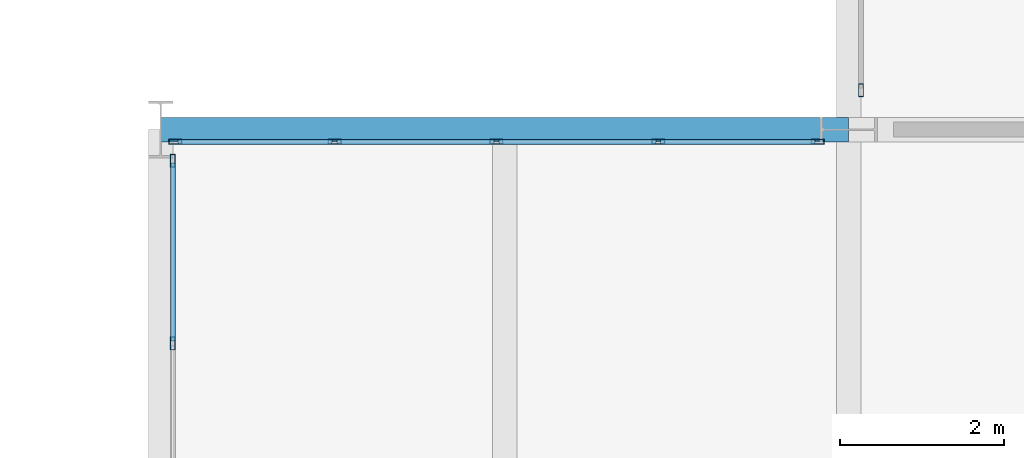
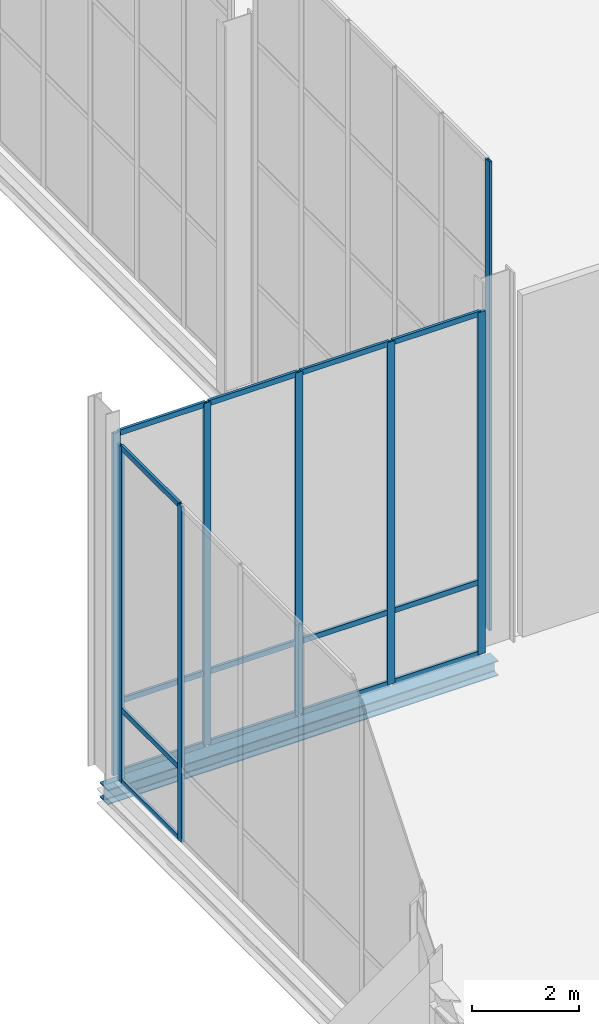
# One storey, part 44 of 131: 23 members, 1 beam, 3 elements without a shape of their own.
"""IFC4 building model written with IfcOpenShell, lengths in metres."""

import ifcopenshell
import ifcopenshell.guid

model = None  # the IFC model being written
_history = None  # IfcOwnerHistory: only IFC2X3 demands one
_inside = {}  # id of a spatial element -> (the spatial element, [elements in it])
_under = {}  # id of a project, library or spatial element -> (it, [spatial elements below it])
_declared = {}  # id of a project -> (the project, [libraries it declares])
_typed = {}  # id of a type object -> (the type object, [elements of that type])
_made_of = {}  # id of a material, layer set ... -> (it, [elements and type objects made of it])


def new_model(schema):
    """Start an empty IFC model of exactly this schema.

    Asked for "IFC4X3", IfcOpenShell would pick the latest addendum, in which some entities
    have other attributes; the version numbers below select the first issue.
    IFC2X3 requires an IfcOwnerHistory on every rooted entity: one is made here for all.
    """
    global model, _history
    if schema == "IFC4X3":
        model = ifcopenshell.file(schema_version=(4, 3, 0, 0))
    else:
        model = ifcopenshell.file(schema=schema)
    _inside.clear()
    _under.clear()
    _declared.clear()
    _typed.clear()
    _made_of.clear()
    _history = None
    if model.schema == "IFC2X3":
        org = make("IfcOrganization", Name="unknown")
        user = make(
            "IfcPersonAndOrganization",
            ThePerson=make("IfcPerson", FamilyName="unknown"),
            TheOrganization=org,
        )
        app = make(
            "IfcApplication",
            ApplicationDeveloper=org,
            Version="unknown",
            ApplicationFullName="unknown",
            ApplicationIdentifier="unknown",
        )
        _history = make(
            "IfcOwnerHistory",
            OwningUser=user,
            OwningApplication=app,
            ChangeAction="ADDED",
            CreationDate=0,
        )
    return model


def make(cls, **values):
    """One entity of the class cls with the attributes given. An attribute that is None is left unset."""
    return model.create_entity(
        cls, **{name: value for name, value in values.items() if value is not None}
    )


def rooted(cls, **values):
    """An entity with a GlobalId (a new one), such as an element, a storey or a relation."""
    return make(cls, GlobalId=ifcopenshell.guid.new(), OwnerHistory=_history, **values)


def si_unit(unit_type, name, prefix=None):
    """IfcSIUnit, for example si_unit("LENGTHUNIT", "METRE", prefix="MILLI")."""
    return make("IfcSIUnit", UnitType=unit_type, Prefix=prefix, Name=name)


def assignment(units):
    """IfcUnitAssignment: the units of a project."""
    return None if units is None else make("IfcUnitAssignment", Units=units)


def point(xyz):
    """IfcCartesianPoint."""
    return None if xyz is None else make("IfcCartesianPoint", Coordinates=xyz)


def direction(xyz):
    """IfcDirection."""
    return None if xyz is None else make("IfcDirection", DirectionRatios=xyz)


def frame(location, z_axis=None, x_axis=None):
    """IfcAxis2Placement3D, a coordinate frame: its origin and axes. An axis left out is left unset."""
    return make(
        "IfcAxis2Placement3D",
        Location=point(location),
        Axis=direction(z_axis),
        RefDirection=direction(x_axis),
    )


def frame_2d(location, x_axis=None):
    """IfcAxis2Placement2D, a coordinate frame in the plane: its origin and x axis."""
    return make(
        "IfcAxis2Placement2D", Location=point(location), RefDirection=direction(x_axis)
    )


def origin():
    """The frame at (0, 0, 0) with its axes left unset."""
    return frame((0.0, 0.0, 0.0))


def origin_2d():
    """The frame at (0, 0) in the plane with its x axis left unset."""
    return frame_2d((0.0, 0.0))


def place(relative_to, where):
    """IfcLocalPlacement: puts the frame where relative to a parent placement (None: the world)."""
    return make(
        "IfcLocalPlacement", PlacementRelTo=relative_to, RelativePlacement=where
    )


def context(
    kind, dimensions, precision=None, world=None, true_north=None, identifier=None
):
    """IfcGeometricRepresentationContext, for example the 3D "Model" context."""
    return make(
        "IfcGeometricRepresentationContext",
        ContextIdentifier=identifier,
        ContextType=kind,
        CoordinateSpaceDimension=dimensions,
        Precision=precision,
        WorldCoordinateSystem=world,
        TrueNorth=true_north,
    )


def subcontext(parent, identifier, kind, view, scale=None):
    """IfcGeometricRepresentationSubContext, for example "Body" below "Model"."""
    return make(
        "IfcGeometricRepresentationSubContext",
        ContextIdentifier=identifier,
        ContextType=kind,
        ParentContext=parent,
        TargetScale=scale,
        TargetView=view,
    )


def project(units=None, contexts=None):
    """IfcProject with its units and contexts."""
    return rooted(
        "IfcProject",
        Name="project",
        RepresentationContexts=contexts,
        UnitsInContext=assignment(units),
    )


def spatial(cls, under=None, at=None, **own):
    """A site, building, storey or space (cls), placed at a placement, below another one or the project."""
    s = rooted(cls, ObjectPlacement=at, **own)
    if under is not None:
        _under.setdefault(under.id(), (under, []))[1].append(s)
    return s


def profile(cls, at=None, kind="AREA", **sizes):
    """A parametric profile (cls). Its sizes go by their IFC names, for example OverallWidth=200.0."""
    return make(cls, ProfileType=kind, Position=at, **sizes)


def hollow_rectangle(**sizes):
    """IfcRectangleHollowProfileDef."""
    return profile("IfcRectangleHollowProfileDef", **sizes)


def i_section(**sizes):
    """IfcIShapeProfileDef."""
    return profile("IfcIShapeProfileDef", **sizes)


def extrude(swept, where, along, depth):
    """IfcExtrudedAreaSolid: the profile swept, set in the frame where, extruded along a direction by depth."""
    return make(
        "IfcExtrudedAreaSolid",
        SweptArea=swept,
        Position=where,
        ExtrudedDirection=direction(along),
        Depth=depth,
    )


def shape(context_of_items, identifier, shape_type, items):
    """IfcShapeRepresentation: the items that make up one representation, for example the "Body"."""
    return make(
        "IfcShapeRepresentation",
        ContextOfItems=context_of_items,
        RepresentationIdentifier=identifier,
        RepresentationType=shape_type,
        Items=items,
    )


def material(Name=None, Category=None):
    """IfcMaterial."""
    return make("IfcMaterial", Name=Name, Category=Category)


def material_profile(
    of_material, cross_section, Name=None, Category=None, Priority=None
):
    """IfcMaterialProfile: a cross section and its material."""
    return make(
        "IfcMaterialProfile",
        Name=Name,
        Material=of_material,
        Profile=cross_section,
        Priority=Priority,
        Category=Category,
    )


def profile_set(profiles, Name=None, composite=None):
    """IfcMaterialProfileSet."""
    return make(
        "IfcMaterialProfileSet",
        Name=Name,
        MaterialProfiles=profiles,
        CompositeProfile=composite,
    )


def made_of(thing, what):
    """Note that an element or type object is made of a material, layer set ...; save() writes the relation."""
    if what is not None:
        _made_of.setdefault(what.id(), (what, []))[1].append(thing)
    return thing


def type_object(cls, material=None, **own):
    """A type object (cls), such as IfcWallType, which elements share."""
    return made_of(rooted(cls, **own), material)


def element(
    cls,
    number,
    at=None,
    inside=None,
    cuts=None,
    type_object=None,
    material=None,
    context=None,
    identifier="Body",
    shape_type=None,
    held_by="IfcProductDefinitionShape",
    body=None,
    shapes=None,
    **own,
):
    """One element of the class cls, such as IfcWall. Its Tag is "e" and its number.

    at: its placement. inside: the storey or other place that contains it. cuts: it is an
    opening in that element (IfcRelVoidsElement). A single representation is given by context,
    identifier, shape_type and body (its items); several are given by shapes. held_by: the class
    of the entity that holds the representations. save() writes the other relations.
    """
    e = rooted(cls, Tag="e%d" % number, ObjectPlacement=at, **own)
    if body is not None:
        shapes = [shape(context, identifier, shape_type, body)]
    if shapes is not None:
        e.Representation = make(held_by, Representations=shapes)
    if inside is not None:
        _inside.setdefault(inside.id(), (inside, []))[1].append(e)
    if cuts is not None:
        rooted(
            "IfcRelVoidsElement", RelatingBuildingElement=cuts, RelatedOpeningElement=e
        )
    if type_object is not None:
        _typed.setdefault(type_object.id(), (type_object, []))[1].append(e)
    return made_of(e, material)


def aggregate(whole, parts):
    """IfcRelAggregates: a whole, such as a stair, and the parts it consists of."""
    return rooted("IfcRelAggregates", RelatingObject=whole, RelatedObjects=parts)


def save(model, path):
    """Write the relations noted so far, then the file.

    IfcRelAggregates (storeys below a building ...), IfcRelContainedInSpatialStructure (elements
    in a storey), IfcRelDefinesByType, IfcRelAssociatesMaterial and IfcRelDeclares: one each for
    every whole, place, type object, material and project.
    """
    for whole, parts in _under.values():
        aggregate(whole, parts)
    for where, things in _inside.values():
        rooted(
            "IfcRelContainedInSpatialStructure",
            RelatedElements=things,
            RelatingStructure=where,
        )
    for kind, things in _typed.values():
        rooted("IfcRelDefinesByType", RelatedObjects=things, RelatingType=kind)
    for what, things in _made_of.values():
        rooted("IfcRelAssociatesMaterial", RelatedObjects=things, RelatingMaterial=what)
    for by, libraries in _declared.values():
        rooted("IfcRelDeclares", RelatingContext=by, RelatedDefinitions=libraries)
    model.write(path)


model = new_model("IFC4")

# Units and contexts
model_context = context("Model", 3, precision=1e-05, world=origin(), true_north=direction((0.0, 1.0)))
body_context = subcontext(model_context, "Body", "Model", "MODEL_VIEW")
ifc_project = project(units=[si_unit("LENGTHUNIT", "METRE"), si_unit("AREAUNIT", "SQUARE_METRE"), si_unit("VOLUMEUNIT", "CUBIC_METRE"), si_unit("PLANEANGLEUNIT", "RADIAN"), si_unit("MASSUNIT", "GRAM", prefix="KILO")], contexts=[model_context])

# Site, building, storey
site_placement = place(None, origin())
site = spatial("IfcSite", under=ifc_project, at=site_placement, CompositionType="ELEMENT")
building_placement = place(site_placement, origin())
building = spatial("IfcBuilding", under=site, at=building_placement, Name="Veltarok Museum of Natural Sciences", CompositionType="ELEMENT")
storey_placement = place(building_placement, origin())
storey = spatial("IfcBuildingStorey", under=building, at=storey_placement, Name="L00", CompositionType="ELEMENT", Elevation=0.0)

# Curtain wall, members
ifc_material_1 = material(Name="Low-iron triple insulated glass", Category="glass")
curtain_wall_type_1 = type_object("IfcCurtainWallType", Name="Curtain Wall System CW-PASW0-L00-3-1130x763 (CW-PASW0 L00 1130x763cm)", PredefinedType="NOTDEFINED", material=ifc_material_1)
curtain_wall_1_placement = place(storey_placement, origin())
curtain_wall_1 = element("IfcCurtainWall", 1, at=curtain_wall_1_placement, inside=storey, type_object=curtain_wall_type_1, Name="Curtain Wall CW-PASW0-L00-3-1130x763 CW-0207", PredefinedType="NOTDEFINED")
ifc_material_2 = material(Name="Thermally broken anodised aluminium", Category="aluminium")
ifc_material_profile_1 = material_profile(ifc_material_2, hollow_rectangle(XDim=0.06005859375, YDim=0.1201171875, WallThickness=0.0048828125, at=origin_2d()), Name="CW TRANSOM 60x120x5")
ifc_profile_set_1 = profile_set([ifc_material_profile_1], Name="Thermally broken anodised aluminium")
member_type_1 = type_object("IfcMemberType", Name="Curtain Wall Horizontal Transom 60x120x5", PredefinedType="USERDEFINED", material=ifc_profile_set_1)
member_1_placement = place(storey_placement, frame((23.35009765625, 69.419921875, 0.028076171875), z_axis=(0.0, 1.0, 0.0), x_axis=(-1.0, 0.0, 0.0)))
member_1 = element("IfcMember", 2, at=member_1_placement, type_object=member_type_1, Name="CW-PASW0-L00-3-1130x763 transom 5.1", ObjectType="TRANSOM", PredefinedType="USERDEFINED", context=body_context, shape_type="SweptSolid", body=[
    extrude(hollow_rectangle(XDim=0.06005859375, YDim=0.1201171875, WallThickness=0.0048828125, at=origin_2d()), origin(), (0.0, 0.0, 1.0), 2.170166015625),
])
member_2_placement = place(storey_placement, frame((23.35009765625, 69.419921875, 1.64794921875), z_axis=(0.0, 1.0, 0.0), x_axis=(-1.0, 0.0, 0.0)))
member_2 = element("IfcMember", 3, at=member_2_placement, type_object=member_type_1, Name="CW-PASW0-L00-3-1130x763 transom 5.2", ObjectType="TRANSOM", PredefinedType="USERDEFINED", context=body_context, shape_type="SweptSolid", body=[
    extrude(hollow_rectangle(XDim=0.06005859375, YDim=0.1201171875, WallThickness=0.0048828125, at=origin_2d()), origin(), (0.0, 0.0, 1.0), 2.170166015625),
])
member_3_placement = place(storey_placement, frame((23.35009765625, 69.419921875, 7.60009765625), z_axis=(0.0, 1.0, 0.0), x_axis=(-1.0, 0.0, 0.0)))
member_3 = element("IfcMember", 4, at=member_3_placement, type_object=member_type_1, Name="CW-PASW0-L00-3-1130x763 transom 5.3", ObjectType="TRANSOM", PredefinedType="USERDEFINED", context=body_context, shape_type="SweptSolid", body=[
    extrude(hollow_rectangle(XDim=0.06005859375, YDim=0.1201171875, WallThickness=0.0048828125, at=origin_2d()), origin(), (0.0, 0.0, 1.0), 2.170166015625),
])

curtain_wall_type_2 = type_object("IfcCurtainWallType", Name="Curtain Wall System CW-PASN0-L00-0-790x778 (CW-PASN0 L00 790x778cm)", PredefinedType="NOTDEFINED", material=ifc_material_1)
curtain_wall_2_placement = place(storey_placement, origin())
curtain_wall_2 = element("IfcCurtainWall", 5, at=curtain_wall_2_placement, inside=storey, type_object=curtain_wall_type_2, Name="Curtain Wall CW-PASN0-L00-0-790x778 CW-0208", PredefinedType="NOTDEFINED")
member_4_placement = place(storey_placement, frame((31.18994140625, 71.85009765625, 0.028076171875), z_axis=(-1.0, 0.0, 0.0), x_axis=(0.0, -1.0, 0.0)))
member_4 = element("IfcMember", 6, at=member_4_placement, type_object=member_type_1, Name="CW-PASN0-L00-0-790x778 transom 1.1", ObjectType="TRANSOM", PredefinedType="USERDEFINED", context=body_context, shape_type="SweptSolid", body=[
    extrude(hollow_rectangle(XDim=0.06005859375, YDim=0.1201171875, WallThickness=0.0048828125, at=origin_2d()), origin(), (0.0, 0.0, 1.0), 1.885009765625),
])
member_5_placement = place(storey_placement, frame((31.18994140625, 71.85009765625, 1.64794921875), z_axis=(-1.0, 0.0, 0.0), x_axis=(0.0, -1.0, 0.0)))
member_5 = element("IfcMember", 7, at=member_5_placement, type_object=member_type_1, Name="CW-PASN0-L00-0-790x778 transom 1.2", ObjectType="TRANSOM", PredefinedType="USERDEFINED", context=body_context, shape_type="SweptSolid", body=[
    extrude(hollow_rectangle(XDim=0.06005859375, YDim=0.1201171875, WallThickness=0.0048828125, at=origin_2d()), origin(), (0.0, 0.0, 1.0), 1.885009765625),
])
member_6_placement = place(storey_placement, frame((31.18994140625, 71.85009765625, 7.75), z_axis=(-1.0, 0.0, 0.0), x_axis=(0.0, -1.0, 0.0)))
member_6 = element("IfcMember", 8, at=member_6_placement, type_object=member_type_1, Name="CW-PASN0-L00-0-790x778 transom 1.3", ObjectType="TRANSOM", PredefinedType="USERDEFINED", context=body_context, shape_type="SweptSolid", body=[
    extrude(hollow_rectangle(XDim=0.06005859375, YDim=0.1201171875, WallThickness=0.0048828125, at=origin_2d()), origin(), (0.0, 0.0, 1.0), 1.885009765625),
])
member_7_placement = place(storey_placement, frame((29.2451171875, 71.85009765625, 0.028076171875), z_axis=(-1.0, 0.0, 0.0), x_axis=(0.0, -1.0, 0.0)))
member_7 = element("IfcMember", 9, at=member_7_placement, type_object=member_type_1, Name="CW-PASN0-L00-0-790x778 transom 2.1", ObjectType="TRANSOM", PredefinedType="USERDEFINED", context=body_context, shape_type="SweptSolid", body=[
    extrude(hollow_rectangle(XDim=0.06005859375, YDim=0.1201171875, WallThickness=0.0048828125, at=origin_2d()), origin(), (0.0, 0.0, 1.0), 1.9150390625),
])
member_8_placement = place(storey_placement, frame((29.2451171875, 71.85009765625, 1.64794921875), z_axis=(-1.0, 0.0, 0.0), x_axis=(0.0, -1.0, 0.0)))
member_8 = element("IfcMember", 10, at=member_8_placement, type_object=member_type_1, Name="CW-PASN0-L00-0-790x778 transom 2.2", ObjectType="TRANSOM", PredefinedType="USERDEFINED", context=body_context, shape_type="SweptSolid", body=[
    extrude(hollow_rectangle(XDim=0.06005859375, YDim=0.1201171875, WallThickness=0.0048828125, at=origin_2d()), origin(), (0.0, 0.0, 1.0), 1.9150390625),
])
member_9_placement = place(storey_placement, frame((29.2451171875, 71.85009765625, 7.75), z_axis=(-1.0, 0.0, 0.0), x_axis=(0.0, -1.0, 0.0)))
member_9 = element("IfcMember", 11, at=member_9_placement, type_object=member_type_1, Name="CW-PASN0-L00-0-790x778 transom 2.3", ObjectType="TRANSOM", PredefinedType="USERDEFINED", context=body_context, shape_type="SweptSolid", body=[
    extrude(hollow_rectangle(XDim=0.06005859375, YDim=0.1201171875, WallThickness=0.0048828125, at=origin_2d()), origin(), (0.0, 0.0, 1.0), 1.9150390625),
])
member_10_placement = place(storey_placement, frame((27.27001953125, 71.85009765625, 0.028076171875), z_axis=(-1.0, 0.0, 0.0), x_axis=(0.0, -1.0, 0.0)))
member_10 = element("IfcMember", 12, at=member_10_placement, type_object=member_type_1, Name="CW-PASN0-L00-0-790x778 transom 3.1", ObjectType="TRANSOM", PredefinedType="USERDEFINED", context=body_context, shape_type="SweptSolid", body=[
    extrude(hollow_rectangle(XDim=0.06005859375, YDim=0.1201171875, WallThickness=0.0048828125, at=origin_2d()), origin(), (0.0, 0.0, 1.0), 1.9150390625),
])
member_11_placement = place(storey_placement, frame((27.27001953125, 71.85009765625, 1.64794921875), z_axis=(-1.0, 0.0, 0.0), x_axis=(0.0, -1.0, 0.0)))
member_11 = element("IfcMember", 13, at=member_11_placement, type_object=member_type_1, Name="CW-PASN0-L00-0-790x778 transom 3.2", ObjectType="TRANSOM", PredefinedType="USERDEFINED", context=body_context, shape_type="SweptSolid", body=[
    extrude(hollow_rectangle(XDim=0.06005859375, YDim=0.1201171875, WallThickness=0.0048828125, at=origin_2d()), origin(), (0.0, 0.0, 1.0), 1.9150390625),
])
member_12_placement = place(storey_placement, frame((27.27001953125, 71.85009765625, 7.75), z_axis=(-1.0, 0.0, 0.0), x_axis=(0.0, -1.0, 0.0)))
member_12 = element("IfcMember", 14, at=member_12_placement, type_object=member_type_1, Name="CW-PASN0-L00-0-790x778 transom 3.3", ObjectType="TRANSOM", PredefinedType="USERDEFINED", context=body_context, shape_type="SweptSolid", body=[
    extrude(hollow_rectangle(XDim=0.06005859375, YDim=0.1201171875, WallThickness=0.0048828125, at=origin_2d()), origin(), (0.0, 0.0, 1.0), 1.9150390625),
])
member_13_placement = place(storey_placement, frame((25.294921875, 71.85009765625, 0.028076171875), z_axis=(-1.0, 0.0, 0.0), x_axis=(0.0, -1.0, 0.0)))
member_13 = element("IfcMember", 15, at=member_13_placement, type_object=member_type_1, Name="CW-PASN0-L00-0-790x778 transom 4.1", ObjectType="TRANSOM", PredefinedType="USERDEFINED", context=body_context, shape_type="SweptSolid", body=[
    extrude(hollow_rectangle(XDim=0.06005859375, YDim=0.1201171875, WallThickness=0.0048828125, at=origin_2d()), origin(), (0.0, 0.0, 1.0), 1.885009765625),
])
member_14_placement = place(storey_placement, frame((25.294921875, 71.85009765625, 1.64794921875), z_axis=(-1.0, 0.0, 0.0), x_axis=(0.0, -1.0, 0.0)))
member_14 = element("IfcMember", 16, at=member_14_placement, type_object=member_type_1, Name="CW-PASN0-L00-0-790x778 transom 4.2", ObjectType="TRANSOM", PredefinedType="USERDEFINED", context=body_context, shape_type="SweptSolid", body=[
    extrude(hollow_rectangle(XDim=0.06005859375, YDim=0.1201171875, WallThickness=0.0048828125, at=origin_2d()), origin(), (0.0, 0.0, 1.0), 1.885009765625),
])
member_15_placement = place(storey_placement, frame((25.294921875, 71.85009765625, 7.75), z_axis=(-1.0, 0.0, 0.0), x_axis=(0.0, -1.0, 0.0)))
member_15 = element("IfcMember", 17, at=member_15_placement, type_object=member_type_1, Name="CW-PASN0-L00-0-790x778 transom 4.3", ObjectType="TRANSOM", PredefinedType="USERDEFINED", context=body_context, shape_type="SweptSolid", body=[
    extrude(hollow_rectangle(XDim=0.06005859375, YDim=0.1201171875, WallThickness=0.0048828125, at=origin_2d()), origin(), (0.0, 0.0, 1.0), 1.885009765625),
])

# Curtain wall, member
curtain_wall_type_3 = type_object("IfcCurtainWallType", Name="Curtain Wall System CW-PAS-NW-HJ-870x1065 (Sculpture Court Passage H-J 870x1065cm)", PredefinedType="NOTDEFINED", material=ifc_material_1)
curtain_wall_3_placement = place(storey_placement, origin())
curtain_wall_3 = element("IfcCurtainWall", 18, at=curtain_wall_3_placement, inside=storey, type_object=curtain_wall_type_3, Name="Curtain Wall CW-PAS-NW-HJ-870x1065 CW-0024", PredefinedType="NOTDEFINED")
ifc_material_profile_2 = material_profile(ifc_material_2, hollow_rectangle(XDim=0.06005859375, YDim=0.159912109375, WallThickness=0.0048828125, at=origin_2d()), Name="CW MULLION 60x160x5")
ifc_profile_set_2 = profile_set([ifc_material_profile_2], Name="Thermally broken anodised aluminium")
member_type_2 = type_object("IfcMemberType", Name="Curtain Wall Vertical Mullion 60x160x5", PredefinedType="MULLION", material=ifc_profile_set_2)
member_16_placement = place(storey_placement, frame((31.75, 72.47998046875, 0.0), z_axis=(0.0, 0.0, 1.0), x_axis=(-1.0, 0.0, 0.0)))
member_16 = element("IfcMember", 19, at=member_16_placement, type_object=member_type_2, Name="CW-PAS-NW-HJ-870x1065 mullion 1", PredefinedType="MULLION", context=body_context, shape_type="SweptSolid", body=[
    extrude(hollow_rectangle(XDim=0.06005859375, YDim=0.159912109375, WallThickness=0.0048828125, at=origin_2d()), origin(), (0.0, 0.0, 1.0), 10.64990234375),
])
aggregate(curtain_wall_3, [member_16])

# Member
member_17_placement = place(storey_placement, frame((23.35009765625, 69.389892578125, -0.001953125), z_axis=(0.0, 0.0, 1.0), x_axis=(-1.0, 0.0, 0.0)))
member_17 = element("IfcMember", 20, at=member_17_placement, type_object=member_type_2, Name="CW-PASW0-L00-3-1130x763 mullion 5", PredefinedType="MULLION", context=body_context, shape_type="SweptSolid", body=[
    extrude(hollow_rectangle(XDim=0.06005859375, YDim=0.159912109375, WallThickness=0.0048828125, at=origin_2d()), origin(), (0.0, 0.0, 1.0), 7.6318359375),
])

member_18_placement = place(storey_placement, frame((23.35009765625, 71.6201171875, -0.001953125), z_axis=(0.0, 0.0, 1.0), x_axis=(-1.0, 0.0, 0.0)))
member_18 = element("IfcMember", 21, at=member_18_placement, type_object=member_type_2, Name="CW-PASW0-L00-3-1130x763 mullion 6", PredefinedType="MULLION", context=body_context, shape_type="SweptSolid", body=[
    extrude(hollow_rectangle(XDim=0.06005859375, YDim=0.159912109375, WallThickness=0.0048828125, at=origin_2d()), origin(), (0.0, 0.0, 1.0), 7.6318359375),
])

aggregate(curtain_wall_1, [member_17, member_18, member_1, member_2, member_3])

member_19_placement = place(storey_placement, frame((31.219970703125, 71.85009765625, -0.001953125), z_axis=(0.0, 0.0, 1.0), x_axis=(0.0, -1.0, 0.0)))
member_19 = element("IfcMember", 22, at=member_19_placement, type_object=member_type_2, Name="CW-PASN0-L00-0-790x778 mullion 1", PredefinedType="MULLION", context=body_context, shape_type="SweptSolid", body=[
    extrude(hollow_rectangle(XDim=0.06005859375, YDim=0.159912109375, WallThickness=0.0048828125, at=origin_2d()), origin(), (0.0, 0.0, 1.0), 7.781982421875),
])

member_20_placement = place(storey_placement, frame((29.27490234375, 71.85009765625, -0.001953125), z_axis=(0.0, 0.0, 1.0), x_axis=(0.0, -1.0, 0.0)))
member_20 = element("IfcMember", 23, at=member_20_placement, type_object=member_type_2, Name="CW-PASN0-L00-0-790x778 mullion 2", PredefinedType="MULLION", context=body_context, shape_type="SweptSolid", body=[
    extrude(hollow_rectangle(XDim=0.06005859375, YDim=0.159912109375, WallThickness=0.0048828125, at=origin_2d()), origin(), (0.0, 0.0, 1.0), 7.781982421875),
])

member_21_placement = place(storey_placement, frame((27.300048828125, 71.85009765625, -0.001953125), z_axis=(0.0, 0.0, 1.0), x_axis=(0.0, -1.0, 0.0)))
member_21 = element("IfcMember", 24, at=member_21_placement, type_object=member_type_2, Name="CW-PASN0-L00-0-790x778 mullion 3", PredefinedType="MULLION", context=body_context, shape_type="SweptSolid", body=[
    extrude(hollow_rectangle(XDim=0.06005859375, YDim=0.159912109375, WallThickness=0.0048828125, at=origin_2d()), origin(), (0.0, 0.0, 1.0), 7.781982421875),
])

member_22_placement = place(storey_placement, frame((25.324951171875, 71.85009765625, -0.001953125), z_axis=(0.0, 0.0, 1.0), x_axis=(0.0, -1.0, 0.0)))
member_22 = element("IfcMember", 25, at=member_22_placement, type_object=member_type_2, Name="CW-PASN0-L00-0-790x778 mullion 4", PredefinedType="MULLION", context=body_context, shape_type="SweptSolid", body=[
    extrude(hollow_rectangle(XDim=0.06005859375, YDim=0.159912109375, WallThickness=0.0048828125, at=origin_2d()), origin(), (0.0, 0.0, 1.0), 7.781982421875),
])

member_23_placement = place(storey_placement, frame((23.3798828125, 71.85009765625, -0.001953125), z_axis=(0.0, 0.0, 1.0), x_axis=(0.0, -1.0, 0.0)))
member_23 = element("IfcMember", 26, at=member_23_placement, type_object=member_type_2, Name="CW-PASN0-L00-0-790x778 mullion 5", PredefinedType="MULLION", context=body_context, shape_type="SweptSolid", body=[
    extrude(hollow_rectangle(XDim=0.06005859375, YDim=0.159912109375, WallThickness=0.0048828125, at=origin_2d()), origin(), (0.0, 0.0, 1.0), 7.781982421875),
])

aggregate(curtain_wall_2, [member_19, member_20, member_21, member_22, member_23, member_4, member_5, member_6, member_7, member_8, member_9, member_10, member_11, member_12, member_13, member_14, member_15])

# Beam
ifc_material_3 = material(Name="Steel S355J2", Category="steel")
ifc_material_profile_3 = material_profile(ifc_material_3, i_section(OverallWidth=0.300048828125, OverallDepth=0.340087890625, WebThickness=0.011962890625, FlangeThickness=0.021484375, FilletRadius=0.027099609375, at=origin_2d()), Name="HEB 340")
ifc_profile_set_3 = profile_set([ifc_material_profile_3], Name="Steel S355J2")
beam_type = type_object("IfcBeamType", Name="Perimeter Bridge Spandrel HEB 340", PredefinedType="SPANDREL", material=ifc_profile_set_3)
beam_placement = place(storey_placement, frame((23.199951171875, 72.0, -0.469970703125), z_axis=(1.0, 0.0, 0.0), x_axis=(0.0, 1.0, 0.0)))
element("IfcBeam", 27, at=beam_placement, inside=storey, type_object=beam_type, Name="Beam BM-SP07 L00 3-4/H", PredefinedType="SPANDREL", context=body_context, shape_type="SweptSolid", body=[
    extrude(i_section(OverallWidth=0.300048828125, OverallDepth=0.340087890625, WebThickness=0.011962890625, FlangeThickness=0.021484375, FilletRadius=0.027099609375, at=origin_2d()), origin(), (0.0, 0.0, 1.0), 8.400146484375),
])

save(model, "model.ifc")
